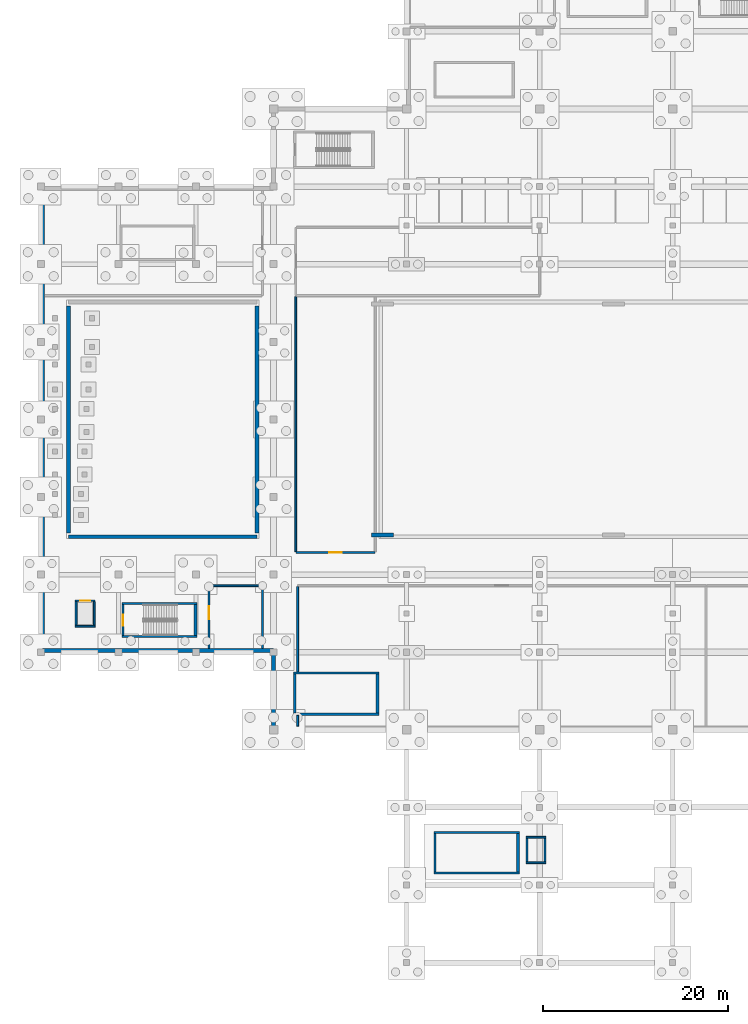
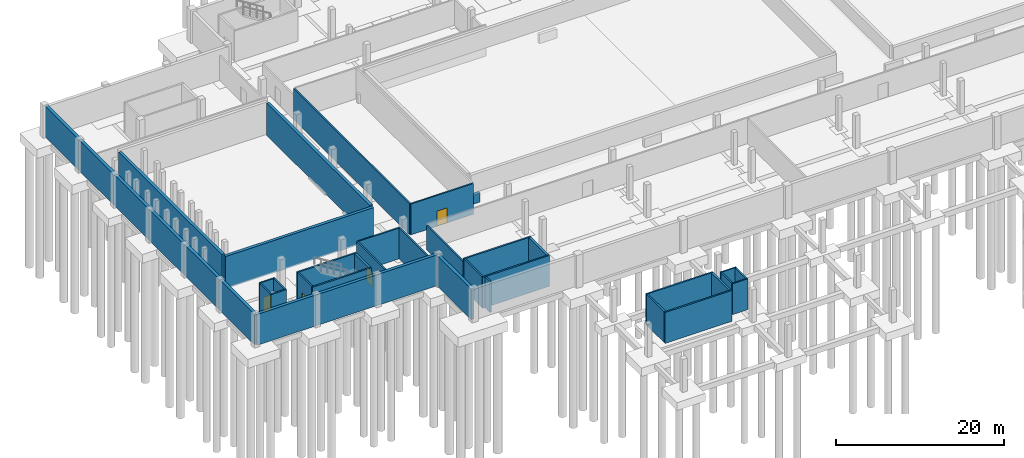
# One storey, part 13 of 26: 34 walls, 4 doors, 4 openings.
"""IFC4 building model written with IfcOpenShell, lengths in metres."""

from ifc_helpers import new_model, si_unit, direction, frame, frame_2d, origin, place, context, subcontext, project, spatial, rectangle, extrude, material, layer, layer_set, type_object, element, fill, save


model = new_model("IFC4")

# Units and contexts
model_context = context("Model", 3, precision=1e-05, world=origin(), true_north=direction((0.0, 1.0)))
body_context = subcontext(model_context, "Body", "Model", "MODEL_VIEW")
ifc_project = project(units=[si_unit("LENGTHUNIT", "METRE"), si_unit("AREAUNIT", "SQUARE_METRE"), si_unit("VOLUMEUNIT", "CUBIC_METRE"), si_unit("PLANEANGLEUNIT", "RADIAN"), si_unit("MASSUNIT", "GRAM", prefix="KILO"), si_unit("THERMODYNAMICTEMPERATUREUNIT", "KELVIN")], contexts=[model_context])

# Site, building, storey
site_placement = place(None, origin())
site = spatial("IfcSite", under=ifc_project, at=site_placement, CompositionType="ELEMENT")
building_placement = place(site_placement, origin())
building = spatial("IfcBuilding", under=site, at=building_placement, Name="Nduvali Passage Aquatics Centre", CompositionType="ELEMENT")
storey_placement = place(building_placement, frame((0.0, 0.0, -4.800048828125)))
storey = spatial("IfcBuildingStorey", under=building, at=storey_placement, Name="B01", CompositionType="ELEMENT", Elevation=-4.800048828125)

# Walls
ifc_material_1 = material(Name="Coral-stone masonry blockwork", Category="masonry")
ifc_layer_1 = layer(ifc_material_1, 0.199951171875, Name="Coral-stone masonry blockwork")
ifc_layer_set_1 = layer_set([ifc_layer_1], Name="Coral-stone masonry blockwork")
wall_type_1 = type_object("IfcWallType", Name="INT-WAL-COMP200", PredefinedType="PARTITIONING", material=ifc_layer_set_1)
wall_1_placement = place(storey_placement, frame((27.800048828125, 25.610107421875, 0.0), z_axis=(0.0, 0.0, 1.0), x_axis=(0.0, 1.0, 0.0)))
element("IfcWall", 1, at=wall_1_placement, inside=storey, type_object=wall_type_1, Name="B01 Competition Pool Sand Filtration Plant Hall Partition 0020", PredefinedType="PARTITIONING", context=body_context, shape_type="SweptSolid", body=[
    extrude(rectangle(XDim=1.169921875, YDim=0.199951171875, at=frame_2d((0.5849609375, 0.0))), origin(), (0.0, 0.0, 1.0), 4.5),
])
wall_2_placement = place(storey_placement, frame((27.800048828125, 31.469970703125, 0.0), z_axis=(0.0, 0.0, 1.0), x_axis=(0.0, 1.0, 0.0)))
element("IfcWall", 2, at=wall_2_placement, inside=storey, type_object=wall_type_1, Name="B01 Competition Pool Sand Filtration Plant Hall Partition 0021", PredefinedType="PARTITIONING", context=body_context, shape_type="SweptSolid", body=[
    extrude(rectangle(XDim=9.22998046875, YDim=0.199951171875, at=frame_2d((4.614990234375, 0.0))), origin(), (0.0, 0.0, 1.0), 3.530029296875),
])

# Wall, opening, door
wall_3_placement = place(storey_placement, frame((27.60009765625, 44.39990234375, 0.0), z_axis=(0.0, 0.0, 1.0), x_axis=(1.0, 0.0, 0.0)))
wall_3 = element("IfcWall", 3, at=wall_3_placement, inside=storey, type_object=wall_type_1, Name="B01 Aquatic Timing and Maintenance Equipment Store Partition 0031", PredefinedType="PARTITIONING", context=body_context, shape_type="SweptSolid", body=[
    extrude(rectangle(XDim=8.599853515625, YDim=0.199951171875, at=frame_2d((4.2998046875, 0.0))), origin(), (0.0, 0.0, 1.0), 4.5),
])
opening_1_placement = place(wall_3_placement, frame((3.60009765625, 0.0, 0.0)))
opening_1 = element("IfcOpeningElement", 4, at=opening_1_placement, cuts=wall_3, Name="Opening FD-P1", PredefinedType="OPENING", context=body_context, shape_type="SweptSolid", body=[
    extrude(rectangle(XDim=1.39990234375, YDim=2.199951171875, at=frame_2d((0.699951171875, 1.10009765625))), frame((0.0, 0.11474609375, 0.0), z_axis=(0.0, -1.0, 0.0), x_axis=(1.0, 0.0, 0.0)), (0.0, 0.0, 1.0), 0.229736328125),
])
ifc_material_2 = material(Name="Galvanised steel door", Category="steel")
door_type_1 = type_object("IfcDoorType", Name="INT-DR-PLNT140", OperationType="DOUBLE_DOOR_SINGLE_SWING", PredefinedType="DOOR", material=ifc_material_2)
door_1_placement = place(opening_1_placement, frame((1.39990234375, 0.0, 0.0), z_axis=(0.0, 0.0, 1.0), x_axis=(-1.0, 0.0, 0.0)))
door_1 = element("IfcDoor", 5, at=door_1_placement, inside=storey, type_object=door_type_1, Name="B01 Aquatic Timing and Maintenance Equipment Store Door 0011", OperationType="DOUBLE_DOOR_SINGLE_SWING", OverallHeight=2.199951171875, OverallWidth=1.39990234375, PredefinedType="DOOR", context=body_context, shape_type="SweptSolid", body=[
    extrude(rectangle(XDim=1.39990234375, YDim=2.199951171875, at=frame_2d((0.699951171875, 1.10009765625))), frame((0.0, 0.02490234375, 0.0), z_axis=(0.0, -1.0, 0.0), x_axis=(1.0, 0.0, 0.0)), (0.0, 0.0, 1.0), 0.050048828125),
])
fill(opening_1, door_1)

# Wall
wall_4_placement = place(storey_placement, frame((27.60009765625, 44.5, 0.0), z_axis=(0.0, 0.0, 1.0), x_axis=(0.0, 1.0, 0.0)))
element("IfcWall", 6, at=wall_4_placement, inside=storey, type_object=wall_type_1, Name="B01 Aquatic Timing and Maintenance Equipment Store Partition 0032", PredefinedType="PARTITIONING", context=body_context, shape_type="SweptSolid", body=[
    extrude(rectangle(XDim=27.60009765625, YDim=0.199951171875, at=frame_2d((13.800048828125, 0.0))), origin(), (0.0, 0.0, 1.0), 4.5),
])

# Wall, opening, door
wall_5_placement = place(storey_placement, frame((18.199951171875, 34.010009765625, 0.0), z_axis=(0.0, 0.0, 1.0), x_axis=(0.0, 1.0, 0.0)))
wall_5 = element("IfcWall", 7, at=wall_5_placement, inside=storey, type_object=wall_type_1, Name="B01 Diving Pool Filtration and Sparger Blower Plant Partition 0034", PredefinedType="PARTITIONING", context=body_context, shape_type="SweptSolid", body=[
    extrude(rectangle(XDim=6.7900390625, YDim=0.199951171875, at=frame_2d((3.39501953125, 0.0))), origin(), (0.0, 0.0, 1.0), 4.5),
])
opening_2_placement = place(wall_5_placement, frame((3.169921875, 0.0, 0.0)))
opening_2 = element("IfcOpeningElement", 8, at=opening_2_placement, cuts=wall_5, Name="Opening FD-P1", PredefinedType="OPENING", context=body_context, shape_type="SweptSolid", body=[
    extrude(rectangle(XDim=1.39990234375, YDim=2.199951171875, at=frame_2d((0.699951171875, 1.10009765625))), frame((0.0, 0.11474609375, 0.0), z_axis=(0.0, -1.0, 0.0), x_axis=(1.0, 0.0, 0.0)), (0.0, 0.0, 1.0), 0.229736328125),
])
door_2_placement = place(opening_2_placement, origin())
door_2 = element("IfcDoor", 9, at=door_2_placement, inside=storey, type_object=door_type_1, Name="B01 Diving Pool Filtration and Sparger Blower Plant Door 0012", OperationType="DOUBLE_DOOR_SINGLE_SWING", OverallHeight=2.199951171875, OverallWidth=1.39990234375, PredefinedType="DOOR", context=body_context, shape_type="SweptSolid", body=[
    extrude(rectangle(XDim=1.39990234375, YDim=2.199951171875, at=frame_2d((0.699951171875, 1.10009765625))), frame((0.0, 0.02490234375, 0.0), z_axis=(0.0, -1.0, 0.0), x_axis=(1.0, 0.0, 0.0)), (0.0, 0.0, 1.0), 0.050048828125),
])
fill(opening_2, door_2)

# Walls
wall_6_placement = place(storey_placement, frame((18.300048828125, 40.800048828125, 0.0), z_axis=(0.0, 0.0, 1.0), x_axis=(1.0, 0.0, 0.0)))
element("IfcWall", 10, at=wall_6_placement, inside=storey, type_object=wall_type_1, Name="B01 Diving Pool Filtration and Sparger Blower Plant Partition 0035", PredefinedType="PARTITIONING", context=body_context, shape_type="SweptSolid", body=[
    extrude(rectangle(XDim=5.699951171875, YDim=0.199951171875, at=frame_2d((2.85009765625, 0.0))), origin(), (0.0, 0.0, 1.0), 4.5),
])
wall_7_placement = place(storey_placement, frame((24.0, 34.010009765625, 0.0), z_axis=(0.0, 0.0, 1.0), x_axis=(0.0, 1.0, 0.0)))
element("IfcWall", 11, at=wall_7_placement, inside=storey, type_object=wall_type_1, Name="B01 Diving Pool Filtration and Sparger Blower Plant Partition 0036", PredefinedType="PARTITIONING", context=body_context, shape_type="SweptSolid", body=[
    extrude(rectangle(XDim=6.68994140625, YDim=0.199951171875, at=frame_2d((3.344970703125, 0.0))), origin(), (0.0, 0.0, 1.0), 4.5),
])
ifc_material_3 = material(Name="Concrete C40/50", Category="concrete")
ifc_layer_2 = layer(ifc_material_3, 0.219970703125, Name="Concrete C40/50")
ifc_layer_set_2 = layer_set([ifc_layer_2], Name="Concrete C40/50")
wall_type_2 = type_object("IfcWallType", Name="INT-WAL-CORE220", PredefinedType="SOLIDWALL", material=ifc_layer_set_2)
for number, where, z_axis, x_axis, name in (
    (12, (42.580078125, 9.68994140625, 0.0), (0.0, 0.0, 1.0), (1.0, 0.0, 0.0), "B01 Stair ST5 Core Wall S"),
    (13, (51.800048828125, 14.10009765625, 0.0), (0.0, 0.0, 1.0), (-1.0, 0.0, 0.0), "B01 Stair ST5 Core Wall N"),
):
    element("IfcWall", number, at=place(storey_placement, frame(where, z_axis=z_axis, x_axis=x_axis)), inside=storey, type_object=wall_type_2, Name=name, PredefinedType="SOLIDWALL", context=body_context, shape_type="SweptSolid", body=[
        extrude(rectangle(XDim=9.219970703125, YDim=0.219970703125, at=frame_2d((4.60986328125, 0.0))), origin(), (0.0, 0.0, 1.0), 4.5),
    ])
wall_8_placement = place(storey_placement, frame((42.68994140625, 13.989990234375, 0.0), z_axis=(0.0, 0.0, 1.0), x_axis=(0.0, -1.0, 0.0)))
element("IfcWall", 14, at=wall_8_placement, inside=storey, type_object=wall_type_2, Name="B01 Stair ST5 Core Wall W", PredefinedType="SOLIDWALL", context=body_context, shape_type="SweptSolid", body=[
    extrude(rectangle(XDim=4.18994140625, YDim=0.219970703125, at=frame_2d((2.094970703125, 0.0))), origin(), (0.0, 0.0, 1.0), 4.5),
])
for number, where, z_axis, x_axis, name in (
    (15, (8.780029296875, 35.2900390625, 0.0), (0.0, 0.0, 1.0), (1.0, 0.0, 0.0), "B01 Stair ST9 Core Wall S"),
    (16, (16.89990234375, 38.860107421875, 0.0), (0.0, 0.0, 1.0), (-1.0, 0.0, 0.0), "B01 Stair ST9 Core Wall N"),
):
    element("IfcWall", number, at=place(storey_placement, frame(where, z_axis=z_axis, x_axis=x_axis)), inside=storey, type_object=wall_type_2, Name=name, PredefinedType="SOLIDWALL", context=body_context, shape_type="SweptSolid", body=[
        extrude(rectangle(XDim=8.119873046875, YDim=0.219970703125, at=frame_2d((4.06005859375, 0.0))), origin(), (0.0, 0.0, 1.0), 4.5),
    ])

# Wall, opening, door
wall_9_placement = place(storey_placement, frame((8.889892578125, 38.75, 0.0), z_axis=(0.0, 0.0, 1.0), x_axis=(0.0, -1.0, 0.0)))
wall_9 = element("IfcWall", 17, at=wall_9_placement, inside=storey, type_object=wall_type_2, Name="B01 Stair ST9 Core Wall W", PredefinedType="SOLIDWALL", context=body_context, shape_type="SweptSolid", body=[
    extrude(rectangle(XDim=3.35009765625, YDim=0.219970703125, at=frame_2d((1.675048828125, 0.0))), origin(), (0.0, 0.0, 1.0), 4.5),
])
opening_3_placement = place(wall_9_placement, frame((1.074951171875, 0.0, 0.0)))
opening_3 = element("IfcOpeningElement", 18, at=opening_3_placement, cuts=wall_9, Name="Opening FD-ST2", PredefinedType="OPENING", context=body_context, shape_type="SweptSolid", body=[
    extrude(rectangle(XDim=1.199951171875, YDim=2.199951171875, at=frame_2d((0.60009765625, 1.10009765625))), frame((0.0, 0.125, 0.0), z_axis=(0.0, -1.0, 0.0), x_axis=(1.0, 0.0, 0.0)), (0.0, 0.0, 1.0), 0.249755859375),
])
door_type_2 = type_object("IfcDoorType", Name="INT-DR-ST120", OperationType="NOTDEFINED", PredefinedType="DOOR", material=ifc_material_2)
door_3_placement = place(opening_3_placement, frame((1.199951171875, 0.0, 0.0), z_axis=(0.0, 0.0, 1.0), x_axis=(-1.0, 0.0, 0.0)))
door_3 = element("IfcDoor", 19, at=door_3_placement, inside=storey, type_object=door_type_2, Name="B01 Stair ST9 Fire Lobby Door", OperationType="SINGLE_SWING_LEFT", OverallHeight=2.199951171875, OverallWidth=1.199951171875, PredefinedType="DOOR", context=body_context, shape_type="SweptSolid", body=[
    extrude(rectangle(XDim=1.199951171875, YDim=2.199951171875, at=frame_2d((0.60009765625, 1.10009765625))), frame((0.0, 0.02490234375, 0.0), z_axis=(0.0, -1.0, 0.0), x_axis=(1.0, 0.0, 0.0)), (0.0, 0.0, 1.0), 0.050048828125),
])
fill(opening_3, door_3)

# Walls
for number, where, z_axis, x_axis, name in (
    (20, (27.3798828125, 26.889892578125, 0.0), (0.0, 0.0, 1.0), (1.0, 0.0, 0.0), "B01 Stair ST13 Core Wall S"),
    (21, (36.60009765625, 31.360107421875, 0.0), (0.0, 0.0, 1.0), (-1.0, 0.0, 0.0), "B01 Stair ST13 Core Wall N"),
):
    element("IfcWall", number, at=place(storey_placement, frame(where, z_axis=z_axis, x_axis=x_axis)), inside=storey, type_object=wall_type_2, Name=name, PredefinedType="SOLIDWALL", context=body_context, shape_type="SweptSolid", body=[
        extrude(rectangle(XDim=9.22021484375, YDim=0.219970703125, at=frame_2d((4.610107421875, 0.0))), origin(), (0.0, 0.0, 1.0), 4.5),
    ])
wall_10_placement = place(storey_placement, frame((27.489990234375, 31.25, 0.0), z_axis=(0.0, 0.0, 1.0), x_axis=(0.0, -1.0, 0.0)))
element("IfcWall", 22, at=wall_10_placement, inside=storey, type_object=wall_type_2, Name="B01 Stair ST13 Core Wall W", PredefinedType="SOLIDWALL", context=body_context, shape_type="SweptSolid", body=[
    extrude(rectangle(XDim=4.25, YDim=0.219970703125, at=frame_2d((2.125, 0.0))), origin(), (0.0, 0.0, 1.0), 4.5),
])
ifc_layer_3 = layer(ifc_material_3, 0.18994140625, Name="Concrete C40/50")
ifc_layer_set_3 = layer_set([ifc_layer_3], Name="Concrete C40/50")
wall_type_3 = type_object("IfcWallType", Name="INT-WAL-SHAFT200", PredefinedType="SOLIDWALL", material=ifc_layer_set_3)
wall_11_placement = place(storey_placement, frame((52.530029296875, 10.824951171875, 0.0), z_axis=(0.0, 0.0, 1.0), x_axis=(1.0, 0.0, 0.0)))
element("IfcWall", 23, at=wall_11_placement, inside=storey, type_object=wall_type_3, Name="B01 Lift L4 Shaft Wall S", PredefinedType="SOLIDWALL", context=body_context, shape_type="SweptSolid", body=[
    extrude(rectangle(XDim=2.139892578125, YDim=0.18994140625, at=frame_2d((1.06982421875, 0.0))), origin(), (0.0, 0.0, 1.0), 4.5),
])
wall_12_placement = place(storey_placement, frame((54.574951171875, 10.919921875, 0.0), z_axis=(0.0, 0.0, 1.0), x_axis=(0.0, 1.0, 0.0)))
element("IfcWall", 24, at=wall_12_placement, inside=storey, type_object=wall_type_3, Name="B01 Lift L4 Shaft Wall E", PredefinedType="SOLIDWALL", context=body_context, shape_type="SweptSolid", body=[
    extrude(rectangle(XDim=2.56005859375, YDim=0.18994140625, at=frame_2d((1.280029296875, 0.0))), origin(), (0.0, 0.0, 1.0), 4.5),
])
wall_13_placement = place(storey_placement, frame((54.669921875, 13.574951171875, 0.0), z_axis=(0.0, 0.0, 1.0), x_axis=(-1.0, 0.0, 0.0)))
element("IfcWall", 25, at=wall_13_placement, inside=storey, type_object=wall_type_3, Name="B01 Lift L4 Shaft Wall N", PredefinedType="SOLIDWALL", context=body_context, shape_type="SweptSolid", body=[
    extrude(rectangle(XDim=2.139892578125, YDim=0.18994140625, at=frame_2d((1.06982421875, 0.0))), origin(), (0.0, 0.0, 1.0), 4.5),
])
wall_14_placement = place(storey_placement, frame((52.625, 13.47998046875, 0.0), z_axis=(0.0, 0.0, 1.0), x_axis=(0.0, -1.0, 0.0)))
element("IfcWall", 26, at=wall_14_placement, inside=storey, type_object=wall_type_3, Name="B01 Lift L4 Shaft Wall W", PredefinedType="SOLIDWALL", context=body_context, shape_type="SweptSolid", body=[
    extrude(rectangle(XDim=2.56005859375, YDim=0.18994140625, at=frame_2d((1.280029296875, 0.0))), origin(), (0.0, 0.0, 1.0), 4.5),
])
wall_15_placement = place(storey_placement, frame((3.72998046875, 36.425048828125, 0.0), z_axis=(0.0, 0.0, 1.0), x_axis=(1.0, 0.0, 0.0)))
element("IfcWall", 27, at=wall_15_placement, inside=storey, type_object=wall_type_3, Name="B01 Lift L5 Shaft Wall S", PredefinedType="SOLIDWALL", context=body_context, shape_type="SweptSolid", body=[
    extrude(rectangle(XDim=2.14013671875, YDim=0.18994140625, at=frame_2d((1.070068359375, 0.0))), origin(), (0.0, 0.0, 1.0), 4.5),
])
wall_16_placement = place(storey_placement, frame((5.77490234375, 36.52001953125, 0.0), z_axis=(0.0, 0.0, 1.0), x_axis=(0.0, 1.0, 0.0)))
element("IfcWall", 28, at=wall_16_placement, inside=storey, type_object=wall_type_3, Name="B01 Lift L5 Shaft Wall E", PredefinedType="SOLIDWALL", context=body_context, shape_type="SweptSolid", body=[
    extrude(rectangle(XDim=2.56005859375, YDim=0.18994140625, at=frame_2d((1.280029296875, 0.0))), origin(), (0.0, 0.0, 1.0), 4.5),
])

# Wall, opening, door
wall_17_placement = place(storey_placement, frame((5.8701171875, 39.175048828125, 0.0), z_axis=(0.0, 0.0, 1.0), x_axis=(-1.0, 0.0, 0.0)))
wall_17 = element("IfcWall", 29, at=wall_17_placement, inside=storey, type_object=wall_type_3, Name="B01 Lift L5 Shaft Wall N", PredefinedType="SOLIDWALL", context=body_context, shape_type="SweptSolid", body=[
    extrude(rectangle(XDim=2.14013671875, YDim=0.18994140625, at=frame_2d((1.070068359375, 0.0))), origin(), (0.0, 0.0, 1.0), 4.5),
])
opening_4_placement = place(wall_17_placement, frame((0.52001953125, 0.0, 0.0)))
opening_4 = element("IfcOpeningElement", 30, at=opening_4_placement, cuts=wall_17, Name="Opening LD5", PredefinedType="OPENING", context=body_context, shape_type="SweptSolid", body=[
    extrude(rectangle(XDim=1.10009765625, YDim=2.199951171875, at=frame_2d((0.550048828125, 1.10009765625))), frame((0.0, 0.10986328125, 0.0), z_axis=(0.0, -1.0, 0.0), x_axis=(1.0, 0.0, 0.0)), (0.0, 0.0, 1.0), 0.2197265625),
])
ifc_material_4 = material(Name="Stainless steel landing door", Category="steel")
door_type_3 = type_object("IfcDoorType", Name="INT-DR-LD5", OperationType="DOUBLE_DOOR_SLIDING", PredefinedType="DOOR", material=ifc_material_4)
door_4_placement = place(opening_4_placement, origin())
door_4 = element("IfcDoor", 31, at=door_4_placement, inside=storey, type_object=door_type_3, Name="B01 Lift L5 Sliding Landing Door LD5", OperationType="DOUBLE_DOOR_SLIDING", OverallHeight=2.199951171875, OverallWidth=1.10009765625, PredefinedType="DOOR", context=body_context, shape_type="SweptSolid", body=[
    extrude(rectangle(XDim=1.10009765625, YDim=2.199951171875, at=frame_2d((0.550048828125, 1.10009765625))), frame((0.0, 0.02490234375, 0.0), z_axis=(0.0, -1.0, 0.0), x_axis=(1.0, 0.0, 0.0)), (0.0, 0.0, 1.0), 0.050048828125),
])
fill(opening_4, door_4)

# Walls
wall_18_placement = place(storey_placement, frame((3.824951171875, 39.080078125, 0.0), z_axis=(0.0, 0.0, 1.0), x_axis=(0.0, -1.0, 0.0)))
element("IfcWall", 32, at=wall_18_placement, inside=storey, type_object=wall_type_3, Name="B01 Lift L5 Shaft Wall W", PredefinedType="SOLIDWALL", context=body_context, shape_type="SweptSolid", body=[
    extrude(rectangle(XDim=2.56005859375, YDim=0.18994140625, at=frame_2d((1.280029296875, 0.0))), origin(), (0.0, 0.0, 1.0), 4.5),
])
ifc_material_5 = material(Name="Waterproof concrete C40/50", Category="concrete")
ifc_layer_4 = layer(ifc_material_5, 0.419921875, Name="Waterproof concrete C40/50")
ifc_layer_set_4 = layer_set([ifc_layer_4], Name="Waterproof concrete C40/50")
wall_type_4 = type_object("IfcWallType", Name="STR-WAL-RET400", PredefinedType="USERDEFINED", material=ifc_layer_set_4)
wall_19_placement = place(storey_placement, frame((0.199951171875, 83.800048828125, 0.0), z_axis=(0.0, 0.0, 1.0), x_axis=(0.0, -1.0, 0.0)))
element("IfcWall", 33, at=wall_19_placement, inside=storey, type_object=wall_type_4, Name="B01 Waterproof Basement Retaining Wall RET-W1", ObjectType="RETAINING WALL", PredefinedType="USERDEFINED", context=body_context, shape_type="SweptSolid", body=[
    extrude(rectangle(XDim=50.0, YDim=0.419921875, at=frame_2d((25.0, 0.0))), origin(), (0.0, 0.0, 1.0), 4.5),
])
wall_20_placement = place(storey_placement, frame((0.199951171875, 33.800048828125, 0.0), z_axis=(0.0, 0.0, 1.0), x_axis=(1.0, 0.0, 0.0)))
element("IfcWall", 34, at=wall_20_placement, inside=storey, type_object=wall_type_4, Name="B01 Waterproof Basement Retaining Wall RET-S1", ObjectType="RETAINING WALL", PredefinedType="USERDEFINED", context=body_context, shape_type="SweptSolid", body=[
    extrude(rectangle(XDim=25.0, YDim=0.419921875, at=frame_2d((12.5, 0.0))), origin(), (0.0, 0.0, 1.0), 4.5),
])
wall_21_placement = place(storey_placement, frame((25.199951171875, 33.800048828125, 0.0), z_axis=(0.0, 0.0, 1.0), x_axis=(0.0, -1.0, 0.0)))
element("IfcWall", 35, at=wall_21_placement, inside=storey, type_object=wall_type_4, Name="B01 Waterproof Basement Retaining Wall RET-S2", ObjectType="RETAINING WALL", PredefinedType="USERDEFINED", context=body_context, shape_type="SweptSolid", body=[
    extrude(rectangle(XDim=8.400146484375, YDim=0.419921875, at=frame_2d((4.2001953125, 0.0))), origin(), (0.0, 0.0, 1.0), 4.5),
])
ifc_layer_5 = layer(ifc_material_3, 0.300048828125, Name="Concrete C40/50")
ifc_layer_set_5 = layer_set([ifc_layer_5], Name="Concrete C40/50")
wall_type_5 = type_object("IfcWallType", Name="STR-WAL-SHR300", PredefinedType="SHEAR", material=ifc_layer_set_5)
wall_22_placement = place(storey_placement, frame((51.64990234375, 9.800048828125, 0.0), z_axis=(0.0, 0.0, 1.0), x_axis=(0.0, 1.0, 0.0)))
element("IfcWall", 36, at=wall_22_placement, inside=storey, type_object=wall_type_5, Name="B01 Stair ST5 Core Shear Wall E", PredefinedType="SHEAR", context=body_context, shape_type="SweptSolid", body=[
    extrude(rectangle(XDim=4.18994140625, YDim=0.300048828125, at=frame_2d((2.094970703125, 0.0))), origin(), (0.0, 0.0, 1.0), 4.5),
])
wall_23_placement = place(storey_placement, frame((16.75, 35.39990234375, 0.0), z_axis=(0.0, 0.0, 1.0), x_axis=(0.0, 1.0, 0.0)))
element("IfcWall", 37, at=wall_23_placement, inside=storey, type_object=wall_type_5, Name="B01 Stair ST9 Core Shear Wall E", PredefinedType="SHEAR", context=body_context, shape_type="SweptSolid", body=[
    extrude(rectangle(XDim=3.35009765625, YDim=0.300048828125, at=frame_2d((1.675048828125, 0.0))), origin(), (0.0, 0.0, 1.0), 4.5),
])
wall_24_placement = place(storey_placement, frame((36.449951171875, 27.0, 0.0), z_axis=(0.0, 0.0, 1.0), x_axis=(0.0, 1.0, 0.0)))
element("IfcWall", 38, at=wall_24_placement, inside=storey, type_object=wall_type_5, Name="B01 Stair ST13 Core Shear Wall E", PredefinedType="SHEAR", context=body_context, shape_type="SweptSolid", body=[
    extrude(rectangle(XDim=4.25, YDim=0.300048828125, at=frame_2d((2.125, 0.0))), origin(), (0.0, 0.0, 1.0), 4.5),
])
ifc_layer_6 = layer(ifc_material_5, 0.39990234375, Name="Waterproof concrete C40/50")
ifc_layer_set_6 = layer_set([ifc_layer_6], Name="Waterproof concrete C40/50")
wall_type_6 = type_object("IfcWallType", Name="STR-WAL-TANK400", PredefinedType="STANDARD", material=ifc_layer_set_6)
wall_25_placement = place(storey_placement, frame((35.7900390625, 46.300048828125, 0.0), z_axis=(0.0, 0.0, 1.0), x_axis=(1.0, 0.0, 0.0)))
element("IfcWall", 39, at=wall_25_placement, inside=storey, type_object=wall_type_6, Name="Competition Pool Sub-Basin Support Wall", PredefinedType="STANDARD", context=body_context, shape_type="SweptSolid", body=[
    extrude(rectangle(XDim=2.39990234375, YDim=0.39990234375, at=frame_2d((1.199951171875, 0.0))), origin(), (0.0, 0.0, 1.0), 1.300048828125),
])
wall_26_placement = place(storey_placement, frame((3.0, 46.10009765625, -0.199951171875), z_axis=(0.0, 0.0, 1.0), x_axis=(1.0, 0.0, 0.0)))
element("IfcWall", 40, at=wall_26_placement, inside=storey, type_object=wall_type_6, Name="Diving Pool Waterproof Tank Wall S", PredefinedType="STANDARD", context=body_context, shape_type="SweptSolid", body=[
    extrude(rectangle(XDim=20.39990234375, YDim=0.39990234375, at=frame_2d((10.199951171875, 0.0))), origin(), (0.0, 0.0, 1.0), 4.699951171875),
])
for number, where, z_axis, x_axis, name in (
    (41, (23.39990234375, 46.5, -0.199951171875), (0.0, 0.0, 1.0), (0.0, 1.0, 0.0), "Diving Pool Waterproof Tank Wall E"),
    (42, (3.0, 71.10009765625, -0.199951171875), (0.0, 0.0, 1.0), (0.0, -1.0, 0.0), "Diving Pool Waterproof Tank Wall W"),
):
    element("IfcWall", number, at=place(storey_placement, frame(where, z_axis=z_axis, x_axis=x_axis)), inside=storey, type_object=wall_type_6, Name=name, PredefinedType="STANDARD", context=body_context, shape_type="SweptSolid", body=[
        extrude(rectangle(XDim=24.60009765625, YDim=0.39990234375, at=frame_2d((12.300048828125, 0.0))), origin(), (0.0, 0.0, 1.0), 4.699951171875),
    ])

save(model, "model.ifc")
